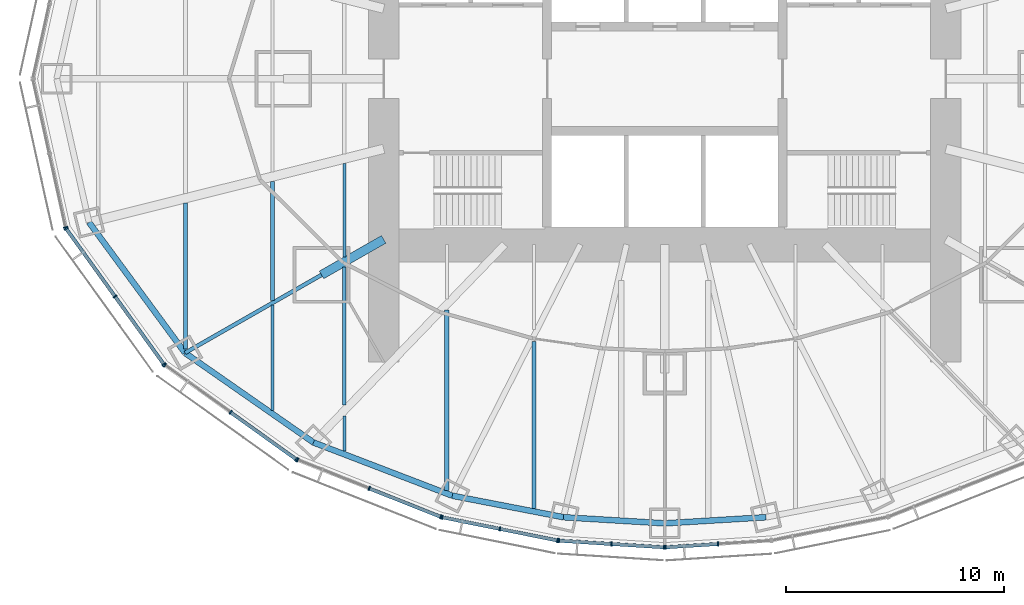
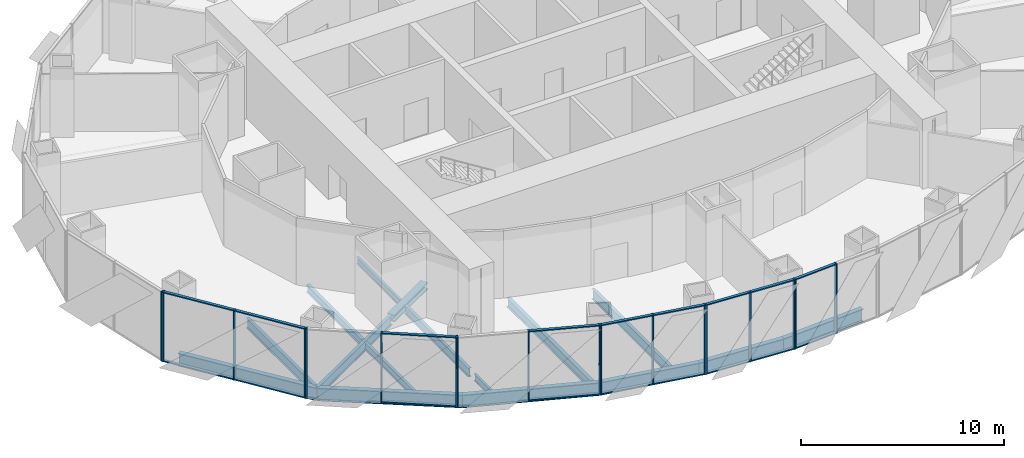
# One storey, part 2 of 18: 36 members, 16 beams, 7 elements without a shape of their own.
"""IFC4 building model written with IfcOpenShell, lengths in metres."""

from ifc_helpers import new_model, si_unit, direction, frame, origin, origin_2d, place, context, subcontext, project, spatial, rectangle, i_section, extrude, material, material_profile, profile_set, type_object, element, aggregate, save


model = new_model("IFC4")

# Units and contexts
model_context = context("Model", 3, precision=1e-05, world=origin(), true_north=direction((0.0, 1.0)))
body_context = subcontext(model_context, "Body", "Model", "MODEL_VIEW")
ifc_project = project(units=[si_unit("LENGTHUNIT", "METRE"), si_unit("AREAUNIT", "SQUARE_METRE"), si_unit("VOLUMEUNIT", "CUBIC_METRE"), si_unit("PLANEANGLEUNIT", "RADIAN"), si_unit("MASSUNIT", "GRAM", prefix="KILO")], contexts=[model_context])

# Site, building, storey
site_placement = place(None, origin())
site = spatial("IfcSite", under=ifc_project, at=site_placement, CompositionType="ELEMENT")
building_placement = place(site_placement, origin())
building = spatial("IfcBuilding", under=site, at=building_placement, Name="Lantaw Convention Tower", CompositionType="ELEMENT")
storey_placement = place(building_placement, frame((0.0, 0.0, 130.0)))
storey = spatial("IfcBuildingStorey", under=building, at=storey_placement, Name="L30", CompositionType="ELEMENT", Elevation=130.0)

# Beams
ifc_material_1 = material(Name="Steel ASTM A992", Category="steel")
ifc_material_profile_1 = material_profile(ifc_material_1, i_section(OverallWidth=0.2666015625, OverallDepth=0.76953125, WebThickness=0.015625, FlangeThickness=0.025390625, FilletRadius=0.0126953125, at=origin_2d()), Name="W30X132")
ifc_profile_set_1 = profile_set([ifc_material_profile_1], Name="Steel ASTM A992")
beam_type_1 = type_object("IfcBeamType", Name="Beam E W30X132", PredefinedType="SPANDREL", material=ifc_profile_set_1)
beam_1_placement = place(storey_placement, frame((-26.419921875, -6.587158203125, -0.534912109375), z_axis=(0.5923891972, -0.805651934176, 0.0), x_axis=(0.805651934176, 0.5923891972, 0.0)))
element("IfcBeam", 1, at=beam_1_placement, inside=storey, type_object=beam_type_1, Name="Edge beam 14", PredefinedType="SPANDREL", context=body_context, shape_type="SweptSolid", body=[
    extrude(i_section(OverallWidth=0.2666015625, OverallDepth=0.76953125, WebThickness=0.015625, FlangeThickness=0.025390625, FilletRadius=0.0126953125, at=origin_2d()), origin(), (0.0, 0.0, 1.0), 7.437744140625),
])
beam_2_placement = place(storey_placement, frame((-22.013916015625, -12.579345703125, -0.534912109375), z_axis=(0.820310765287, -0.57191804339, 0.0), x_axis=(0.57191804339, 0.820310765287, 0.0)))
element("IfcBeam", 2, at=beam_2_placement, inside=storey, type_object=beam_type_1, Name="Edge beam 15", PredefinedType="SPANDREL", context=body_context, shape_type="SweptSolid", body=[
    extrude(i_section(OverallWidth=0.2666015625, OverallDepth=0.76953125, WebThickness=0.015625, FlangeThickness=0.025390625, FilletRadius=0.0126953125, at=origin_2d()), origin(), (0.0, 0.0, 1.0), 7.187744140625),
])
beam_3_placement = place(storey_placement, frame((-16.11767578125, -16.690185546875, -0.534912109375), z_axis=(0.933691081977, -0.358079549033, 0.0), x_axis=(0.358079549033, 0.933691081977, 0.0)))
element("IfcBeam", 3, at=beam_3_placement, inside=storey, type_object=beam_type_1, Name="Edge beam 16", PredefinedType="SPANDREL", context=body_context, shape_type="SweptSolid", body=[
    extrude(i_section(OverallWidth=0.2666015625, OverallDepth=0.76953125, WebThickness=0.015625, FlangeThickness=0.025390625, FilletRadius=0.0126953125, at=origin_2d()), origin(), (0.0, 0.0, 1.0), 6.821533203125),
])
beam_4_placement = place(storey_placement, frame((-9.74853515625, -19.1328125, -0.534912109375), z_axis=(0.981796805654, -0.189934284446, 0.0), x_axis=(0.189934284446, 0.981796805654, 0.0)))
element("IfcBeam", 4, at=beam_4_placement, inside=storey, type_object=beam_type_1, Name="Edge beam 17", PredefinedType="SPANDREL", context=body_context, shape_type="SweptSolid", body=[
    extrude(i_section(OverallWidth=0.2666015625, OverallDepth=0.76953125, WebThickness=0.015625, FlangeThickness=0.025390625, FilletRadius=0.0126953125, at=origin_2d()), origin(), (0.0, 0.0, 1.0), 5.1982421875),
])
for number, where, z_axis, x_axis, name in (
    (5, (-4.64501953125, -20.1201171875, -0.534912109375), (0.998190892054, -0.06012439621, 0.0), (0.06012439621, 0.998190892054, 0.0), "Edge beam 18"),
    (6, (0.0, -20.39990234375, -0.534912109375), (0.998190892054, 0.06012439621, 0.0), (-0.06012439621, 0.998190892054, 0.0), "Edge beam 19"),
):
    element("IfcBeam", number, at=place(storey_placement, frame(where, z_axis=z_axis, x_axis=x_axis)), inside=storey, type_object=beam_type_1, Name=name, PredefinedType="SPANDREL", context=body_context, shape_type="SweptSolid", body=[
        extrude(i_section(OverallWidth=0.2666015625, OverallDepth=0.76953125, WebThickness=0.015625, FlangeThickness=0.025390625, FilletRadius=0.0126953125, at=origin_2d()), origin(), (0.0, 0.0, 1.0), 4.6533203125),
    ])
ifc_material_profile_2 = material_profile(ifc_material_1, i_section(OverallWidth=0.177978515625, OverallDepth=0.599365234375, WebThickness=0.010009765625, FlangeThickness=0.012939453125, FilletRadius=0.012939453125, at=origin_2d()), Name="W24X55")
ifc_profile_set_2 = profile_set([ifc_material_profile_2], Name="Steel ASTM A992")
beam_type_2 = type_object("IfcBeamType", Name="Beam G W24X55", PredefinedType="BEAM", material=ifc_profile_set_2)
beam_5_placement = place(storey_placement, frame((-15.75, -9.0, -0.44970703125), z_axis=(-0.868245224608, -0.496135293993, 0.0), x_axis=(0.496135293993, -0.868245224608, 0.0)))
element("IfcBeam", 7, at=beam_5_placement, inside=storey, type_object=beam_type_2, Name="Floor girder on ray 15", PredefinedType="BEAM", context=body_context, shape_type="SweptSolid", body=[
    extrude(i_section(OverallWidth=0.177978515625, OverallDepth=0.599365234375, WebThickness=0.010009765625, FlangeThickness=0.012939453125, FilletRadius=0.012939453125, at=origin_2d()), origin(), (0.0, 0.0, 1.0), 7.21435546875),
])
ifc_material_profile_3 = material_profile(ifc_material_1, i_section(OverallWidth=0.40380859375, OverallDepth=0.406494140625, WebThickness=0.027099609375, FlangeThickness=0.043701171875, FilletRadius=0.01513671875, at=origin_2d()), Name="W14X233")
ifc_profile_set_3 = profile_set([ifc_material_profile_3], Name="Steel ASTM A992")
beam_type_3 = type_object("IfcBeamType", Name="Beam GM W14X233", PredefinedType="BEAM", material=ifc_profile_set_3)
beam_6_placement = place(storey_placement, frame((-12.89990234375, -7.371337890625, -0.353271484375), z_axis=(-0.868238565244, -0.496146947811, 0.0), x_axis=(0.496146947811, -0.868238565244, 0.0)))
element("IfcBeam", 8, at=beam_6_placement, inside=storey, type_object=beam_type_3, Name="Core link beam on ray 15", PredefinedType="BEAM", context=body_context, shape_type="SweptSolid", body=[
    extrude(i_section(OverallWidth=0.40380859375, OverallDepth=0.406494140625, WebThickness=0.027099609375, FlangeThickness=0.043701171875, FilletRadius=0.01513671875, at=origin_2d()), origin(), (0.0, 0.0, 1.0), 3.28271484375),
])
ifc_material_profile_4 = material_profile(ifc_material_1, i_section(OverallWidth=0.140380859375, OverallDepth=0.40380859375, WebThickness=0.007080078125, FlangeThickness=0.01123046875, FilletRadius=0.01025390625, at=origin_2d()), Name="W16X31")
ifc_profile_set_4 = profile_set([ifc_material_profile_4], Name="Steel ASTM A992")
beam_type_4 = type_object("IfcBeamType", Name="Beam J W16X31", PredefinedType="JOIST", material=ifc_profile_set_4)
beam_7_placement = place(storey_placement, frame((-14.699951171875, -17.091064453125, -0.35205078125), z_axis=(0.0, 1.0, 0.0), x_axis=(-1.0, 0.0, 0.0)))
element("IfcBeam", 9, at=beam_7_placement, inside=storey, type_object=beam_type_4, Name="Floor joist", PredefinedType="JOIST", context=body_context, shape_type="SweptSolid", body=[
    extrude(i_section(OverallWidth=0.140380859375, OverallDepth=0.40380859375, WebThickness=0.007080078125, FlangeThickness=0.01123046875, FilletRadius=0.01025390625, at=origin_2d()), origin(), (0.0, 0.0, 1.0), 1.609130859375),
])
beam_8_placement = place(storey_placement, frame((-14.699951171875, -8.16748046875, -0.35205078125), z_axis=(0.0, 1.0, 0.0), x_axis=(-1.0, 0.0, 0.0)))
element("IfcBeam", 10, at=beam_8_placement, inside=storey, type_object=beam_type_4, Name="Floor joist", PredefinedType="JOIST", context=body_context, shape_type="SweptSolid", body=[
    extrude(i_section(OverallWidth=0.140380859375, OverallDepth=0.40380859375, WebThickness=0.007080078125, FlangeThickness=0.01123046875, FilletRadius=0.01025390625, at=origin_2d()), origin(), (0.0, 0.0, 1.0), 4.28515625),
])
ifc_material_profile_5 = material_profile(ifc_material_1, i_section(OverallWidth=0.15234375, OverallDepth=0.449462890625, WebThickness=0.007568359375, FlangeThickness=0.0107421875, FilletRadius=0.01025390625, at=origin_2d()), Name="W18X35")
ifc_profile_set_5 = profile_set([ifc_material_profile_5], Name="Steel ASTM A992")
beam_type_5 = type_object("IfcBeamType", Name="Beam J W18X35", PredefinedType="JOIST", material=ifc_profile_set_5)
beam_9_placement = place(storey_placement, frame((-18.0, -15.21533203125, -0.374755859375), z_axis=(0.0, 1.0, 0.0), x_axis=(-1.0, 0.0, 0.0)))
element("IfcBeam", 11, at=beam_9_placement, inside=storey, type_object=beam_type_5, Name="Floor joist", PredefinedType="JOIST", context=body_context, shape_type="SweptSolid", body=[
    extrude(i_section(OverallWidth=0.15234375, OverallDepth=0.449462890625, WebThickness=0.007568359375, FlangeThickness=0.0107421875, FilletRadius=0.01025390625, at=origin_2d()), origin(), (0.0, 0.0, 1.0), 4.8271484375),
])
ifc_material_profile_6 = material_profile(ifc_material_1, i_section(OverallWidth=0.1904296875, OverallDepth=0.457275390625, WebThickness=0.009033203125, FlangeThickness=0.014404296875, FilletRadius=0.01025390625, at=origin_2d()), Name="W18X50")
ifc_profile_set_6 = profile_set([ifc_material_profile_6], Name="Steel ASTM A992")
beam_type_6 = type_object("IfcBeamType", Name="Beam J W18X50", PredefinedType="JOIST", material=ifc_profile_set_6)
beam_10_placement = place(storey_placement, frame((-18.0, -10.18310546875, -0.378662109375), z_axis=(0.0, 1.0, 0.0), x_axis=(-1.0, 0.0, 0.0)))
element("IfcBeam", 12, at=beam_10_placement, inside=storey, type_object=beam_type_6, Name="Floor joist", PredefinedType="JOIST", context=body_context, shape_type="SweptSolid", body=[
    extrude(i_section(OverallWidth=0.1904296875, OverallDepth=0.457275390625, WebThickness=0.009033203125, FlangeThickness=0.014404296875, FilletRadius=0.01025390625, at=origin_2d()), origin(), (0.0, 0.0, 1.0), 5.47802734375),
])
ifc_material_profile_7 = material_profile(ifc_material_1, i_section(OverallWidth=0.1650390625, OverallDepth=0.52587890625, WebThickness=0.0087890625, FlangeThickness=0.011474609375, FilletRadius=0.0126953125, at=origin_2d()), Name="W21X44")
ifc_profile_set_7 = profile_set([ifc_material_profile_7], Name="Steel ASTM A992")
beam_type_7 = type_object("IfcBeamType", Name="Beam J W21X44", PredefinedType="JOIST", material=ifc_profile_set_7)
beam_11_placement = place(storey_placement, frame((-14.699951171875, -14.962646484375, -0.412841796875), z_axis=(0.0, 1.0, 0.0), x_axis=(-1.0, 0.0, 0.0)))
element("IfcBeam", 13, at=beam_11_placement, inside=storey, type_object=beam_type_7, Name="Floor joist", PredefinedType="JOIST", context=body_context, shape_type="SweptSolid", body=[
    extrude(i_section(OverallWidth=0.1650390625, OverallDepth=0.52587890625, WebThickness=0.0087890625, FlangeThickness=0.011474609375, FilletRadius=0.0126953125, at=origin_2d()), origin(), (0.0, 0.0, 1.0), 6.330078125),
])
ifc_material_profile_8 = material_profile(ifc_material_1, i_section(OverallWidth=0.2099609375, OverallDepth=0.535888671875, WebThickness=0.010986328125, FlangeThickness=0.017333984375, FilletRadius=0.012939453125, at=origin_2d()), Name="W21X68")
ifc_profile_set_8 = profile_set([ifc_material_profile_8], Name="Steel ASTM A992")
beam_type_8 = type_object("IfcBeamType", Name="Beam J W21X68", PredefinedType="JOIST", material=ifc_profile_set_8)
beam_12_placement = place(storey_placement, frame((-10.0, -18.8935546875, -0.41796875), z_axis=(0.0, 1.0, 0.0), x_axis=(-1.0, 0.0, 0.0)))
element("IfcBeam", 14, at=beam_12_placement, inside=storey, type_object=beam_type_8, Name="Floor joist", PredefinedType="JOIST", context=body_context, shape_type="SweptSolid", body=[
    extrude(i_section(OverallWidth=0.2099609375, OverallDepth=0.535888671875, WebThickness=0.010986328125, FlangeThickness=0.017333984375, FilletRadius=0.012939453125, at=origin_2d()), origin(), (0.0, 0.0, 1.0), 8.278564453125),
])
ifc_material_profile_9 = material_profile(ifc_material_1, i_section(OverallWidth=0.177978515625, OverallDepth=0.599365234375, WebThickness=0.010009765625, FlangeThickness=0.012939453125, FilletRadius=0.012939453125, at=origin_2d()), Name="W24X55")
ifc_profile_set_9 = profile_set([ifc_material_profile_9], Name="Steel ASTM A992")
beam_type_9 = type_object("IfcBeamType", Name="Beam J W24X55", PredefinedType="JOIST", material=ifc_profile_set_9)
beam_13_placement = place(storey_placement, frame((-22.0, -12.408935546875, -0.44970703125), z_axis=(0.0, 1.0, 0.0), x_axis=(-1.0, 0.0, 0.0)))
element("IfcBeam", 15, at=beam_13_placement, inside=storey, type_object=beam_type_9, Name="Floor joist", PredefinedType="JOIST", context=body_context, shape_type="SweptSolid", body=[
    extrude(i_section(OverallWidth=0.177978515625, OverallDepth=0.599365234375, WebThickness=0.010009765625, FlangeThickness=0.012939453125, FilletRadius=0.012939453125, at=origin_2d()), origin(), (0.0, 0.0, 1.0), 6.70654296875),
])
beam_14_placement = place(storey_placement, frame((-6.0, -19.72216796875, -0.44970703125), z_axis=(0.0, 1.0, 0.0), x_axis=(-1.0, 0.0, 0.0)))
element("IfcBeam", 16, at=beam_14_placement, inside=storey, type_object=beam_type_9, Name="Floor joist", PredefinedType="JOIST", context=body_context, shape_type="SweptSolid", body=[
    extrude(i_section(OverallWidth=0.177978515625, OverallDepth=0.599365234375, WebThickness=0.010009765625, FlangeThickness=0.012939453125, FilletRadius=0.012939453125, at=origin_2d()), origin(), (0.0, 0.0, 1.0), 7.666748046875),
])

# Curtain wall, member
ifc_material_2 = material(Name="Aluminium framed curtain wall", Category="aluminium")
curtain_wall_type = type_object("IfcCurtainWallType", Name="Office curtain wall low rise, pale aluminium", PredefinedType="USERDEFINED", material=ifc_material_2)
curtain_wall_1_placement = place(storey_placement, origin())
curtain_wall_1 = element("IfcCurtainWall", 17, at=curtain_wall_1_placement, inside=storey, type_object=curtain_wall_type, Name="Office curtain wall low rise, pale aluminium L30", ObjectType="UNITISED CURTAIN WALL", PredefinedType="USERDEFINED")
ifc_material_3 = material(Name="Aluminium 6063-T6", Category="aluminium")
ifc_material_profile_10 = material_profile(ifc_material_3, rectangle(XDim=0.199951171875, YDim=0.06494140625, at=origin_2d()), Name="CW-O1 mullion 65x200")
ifc_profile_set_10 = profile_set([ifc_material_profile_10], Name="Aluminium 6063-T6")
member_type_1 = type_object("IfcMemberType", Name="CW-O1 mullion 65x200", PredefinedType="MULLION", material=ifc_profile_set_10)
member_1_placement = place(storey_placement, frame((-27.494140625, -6.821533203125, -0.14990234375), z_axis=(0.0, 0.0, 1.0), x_axis=(0.9764936509, 0.215546166174, 0.0)))
member_1 = element("IfcMember", 18, at=member_1_placement, type_object=member_type_1, Name="CW-O1 mullion 3", PredefinedType="MULLION", context=body_context, shape_type="SweptSolid", body=[
    extrude(rectangle(XDim=0.199951171875, YDim=0.06494140625, at=origin_2d()), origin(), (0.0, 0.0, 1.0), 4.199951171875),
])
aggregate(curtain_wall_1, [member_1])

# Curtain wall, members
curtain_wall_2_placement = place(storey_placement, origin())
curtain_wall_2 = element("IfcCurtainWall", 19, at=curtain_wall_2_placement, inside=storey, type_object=curtain_wall_type, Name="Office curtain wall low rise, pale aluminium L30", ObjectType="UNITISED CURTAIN WALL", PredefinedType="USERDEFINED")
member_2_placement = place(storey_placement, frame((-27.46826171875, -6.879638671875, -0.14990234375), z_axis=(0.0, 0.0, 1.0), x_axis=(0.811384633629, 0.584512597221, 0.0)))
member_2 = element("IfcMember", 20, at=member_2_placement, type_object=member_type_1, Name="CW-O1 mullion 1", PredefinedType="MULLION", context=body_context, shape_type="SweptSolid", body=[
    extrude(rectangle(XDim=0.199951171875, YDim=0.06494140625, at=origin_2d()), origin(), (0.0, 0.0, 1.0), 4.199951171875),
])
member_3_placement = place(storey_placement, frame((-25.22802734375, -9.9892578125, -0.14990234375), z_axis=(0.0, 0.0, 1.0), x_axis=(0.811384633629, 0.584512597221, 0.0)))
member_3 = element("IfcMember", 21, at=member_3_placement, type_object=member_type_1, Name="CW-O1 mullion 2", PredefinedType="MULLION", context=body_context, shape_type="SweptSolid", body=[
    extrude(rectangle(XDim=0.199951171875, YDim=0.06494140625, at=origin_2d()), origin(), (0.0, 0.0, 1.0), 4.199951171875),
])
member_4_placement = place(storey_placement, frame((-22.988037109375, -13.098876953125, -0.14990234375), z_axis=(0.0, 0.0, 1.0), x_axis=(0.811384633629, 0.584512597221, 0.0)))
member_4 = element("IfcMember", 22, at=member_4_placement, type_object=member_type_1, Name="CW-O1 mullion 3", PredefinedType="MULLION", context=body_context, shape_type="SweptSolid", body=[
    extrude(rectangle(XDim=0.199951171875, YDim=0.06494140625, at=origin_2d()), origin(), (0.0, 0.0, 1.0), 4.199951171875),
])

curtain_wall_3_placement = place(storey_placement, origin())
curtain_wall_3 = element("IfcCurtainWall", 23, at=curtain_wall_3_placement, inside=storey, type_object=curtain_wall_type, Name="Office curtain wall low rise, pale aluminium L30", ObjectType="UNITISED CURTAIN WALL", PredefinedType="USERDEFINED")
member_5_placement = place(storey_placement, frame((-22.942626953125, -13.14404296875, -0.14990234375), z_axis=(0.0, 0.0, 1.0), x_axis=(0.581972695693, 0.813208325995, 0.0)))
member_5 = element("IfcMember", 24, at=member_5_placement, type_object=member_type_1, Name="CW-O1 mullion 1", PredefinedType="MULLION", context=body_context, shape_type="SweptSolid", body=[
    extrude(rectangle(XDim=0.199951171875, YDim=0.06494140625, at=origin_2d()), origin(), (0.0, 0.0, 1.0), 4.199951171875),
])
member_6_placement = place(storey_placement, frame((-19.92529296875, -15.303466796875, -0.14990234375), z_axis=(0.0, 0.0, 1.0), x_axis=(0.581972695693, 0.813208325995, 0.0)))
member_6 = element("IfcMember", 25, at=member_6_placement, type_object=member_type_1, Name="CW-O1 mullion 2", PredefinedType="MULLION", context=body_context, shape_type="SweptSolid", body=[
    extrude(rectangle(XDim=0.199951171875, YDim=0.06494140625, at=origin_2d()), origin(), (0.0, 0.0, 1.0), 4.199951171875),
])
member_7_placement = place(storey_placement, frame((-16.908203125, -17.462646484375, -0.14990234375), z_axis=(0.0, 0.0, 1.0), x_axis=(0.581972695693, 0.813208325995, 0.0)))
member_7 = element("IfcMember", 26, at=member_7_placement, type_object=member_type_1, Name="CW-O1 mullion 3", PredefinedType="MULLION", context=body_context, shape_type="SweptSolid", body=[
    extrude(rectangle(XDim=0.199951171875, YDim=0.06494140625, at=origin_2d()), origin(), (0.0, 0.0, 1.0), 4.199951171875),
])

curtain_wall_4_placement = place(storey_placement, origin())
curtain_wall_4 = element("IfcCurtainWall", 27, at=curtain_wall_4_placement, inside=storey, type_object=curtain_wall_type, Name="Office curtain wall low rise, pale aluminium L30", ObjectType="UNITISED CURTAIN WALL", PredefinedType="USERDEFINED")
member_8_placement = place(storey_placement, frame((-16.8515625, -17.49365234375, -0.14990234375), z_axis=(0.0, 0.0, 1.0), x_axis=(0.368701907483, 0.929547687544, 0.0)))
member_8 = element("IfcMember", 28, at=member_8_placement, type_object=member_type_1, Name="CW-O1 mullion 1", PredefinedType="MULLION", context=body_context, shape_type="SweptSolid", body=[
    extrude(rectangle(XDim=0.199951171875, YDim=0.06494140625, at=origin_2d()), origin(), (0.0, 0.0, 1.0), 4.199951171875),
])
member_9_placement = place(storey_placement, frame((-13.56494140625, -18.797119140625, -0.14990234375), z_axis=(0.0, 0.0, 1.0), x_axis=(0.368701907483, 0.929547687544, 0.0)))
member_9 = element("IfcMember", 29, at=member_9_placement, type_object=member_type_1, Name="CW-O1 mullion 2", PredefinedType="MULLION", context=body_context, shape_type="SweptSolid", body=[
    extrude(rectangle(XDim=0.199951171875, YDim=0.06494140625, at=origin_2d()), origin(), (0.0, 0.0, 1.0), 4.199951171875),
])
member_10_placement = place(storey_placement, frame((-10.2783203125, -20.100830078125, -0.14990234375), z_axis=(0.0, 0.0, 1.0), x_axis=(0.368701907483, 0.929547687544, 0.0)))
member_10 = element("IfcMember", 30, at=member_10_placement, type_object=member_type_1, Name="CW-O1 mullion 3", PredefinedType="MULLION", context=body_context, shape_type="SweptSolid", body=[
    extrude(rectangle(XDim=0.199951171875, YDim=0.06494140625, at=origin_2d()), origin(), (0.0, 0.0, 1.0), 4.199951171875),
])

curtain_wall_5_placement = place(storey_placement, origin())
curtain_wall_5 = element("IfcCurtainWall", 31, at=curtain_wall_5_placement, inside=storey, type_object=curtain_wall_type, Name="Office curtain wall low rise, pale aluminium L30", ObjectType="UNITISED CURTAIN WALL", PredefinedType="USERDEFINED")
member_11_placement = place(storey_placement, frame((-10.216064453125, -20.119140625, -0.14990234375), z_axis=(0.0, 0.0, 1.0), x_axis=(0.197506809659, 0.980301514912, 0.0)))
member_11 = element("IfcMember", 32, at=member_11_placement, type_object=member_type_1, Name="CW-O1 mullion 1", PredefinedType="MULLION", context=body_context, shape_type="SweptSolid", body=[
    extrude(rectangle(XDim=0.199951171875, YDim=0.06494140625, at=origin_2d()), origin(), (0.0, 0.0, 1.0), 4.199951171875),
])
member_12_placement = place(storey_placement, frame((-7.5703125, -20.65234375, -0.14990234375), z_axis=(0.0, 0.0, 1.0), x_axis=(0.197506809659, 0.980301514912, 0.0)))
member_12 = element("IfcMember", 33, at=member_12_placement, type_object=member_type_1, Name="CW-O1 mullion 2", PredefinedType="MULLION", context=body_context, shape_type="SweptSolid", body=[
    extrude(rectangle(XDim=0.199951171875, YDim=0.06494140625, at=origin_2d()), origin(), (0.0, 0.0, 1.0), 4.199951171875),
])
member_13_placement = place(storey_placement, frame((-4.92431640625, -21.185302734375, -0.14990234375), z_axis=(0.0, 0.0, 1.0), x_axis=(0.197506809659, 0.980301514912, 0.0)))
member_13 = element("IfcMember", 34, at=member_13_placement, type_object=member_type_1, Name="CW-O1 mullion 3", PredefinedType="MULLION", context=body_context, shape_type="SweptSolid", body=[
    extrude(rectangle(XDim=0.199951171875, YDim=0.06494140625, at=origin_2d()), origin(), (0.0, 0.0, 1.0), 4.199951171875),
])

curtain_wall_6_placement = place(storey_placement, origin())
curtain_wall_6 = element("IfcCurtainWall", 35, at=curtain_wall_6_placement, inside=storey, type_object=curtain_wall_type, Name="Office curtain wall low rise, pale aluminium L30", ObjectType="UNITISED CURTAIN WALL", PredefinedType="USERDEFINED")
member_14_placement = place(storey_placement, frame((-4.860107421875, -21.19384765625, -0.14990234375), z_axis=(0.0, 0.0, 1.0), x_axis=(0.062865059466, 0.998022035978, 0.0)))
member_14 = element("IfcMember", 36, at=member_14_placement, type_object=member_type_1, Name="CW-O1 mullion 1", PredefinedType="MULLION", context=body_context, shape_type="SweptSolid", body=[
    extrude(rectangle(XDim=0.199951171875, YDim=0.06494140625, at=origin_2d()), origin(), (0.0, 0.0, 1.0), 4.199951171875),
])
member_15_placement = place(storey_placement, frame((-2.4462890625, -21.345947265625, -0.14990234375), z_axis=(0.0, 0.0, 1.0), x_axis=(0.062865059466, 0.998022035978, 0.0)))
member_15 = element("IfcMember", 37, at=member_15_placement, type_object=member_type_1, Name="CW-O1 mullion 2", PredefinedType="MULLION", context=body_context, shape_type="SweptSolid", body=[
    extrude(rectangle(XDim=0.199951171875, YDim=0.06494140625, at=origin_2d()), origin(), (0.0, 0.0, 1.0), 4.199951171875),
])
member_16_placement = place(storey_placement, frame((-0.032470703125, -21.498046875, -0.14990234375), z_axis=(0.0, 0.0, 1.0), x_axis=(0.062865059466, 0.998022035978, 0.0)))
member_16 = element("IfcMember", 38, at=member_16_placement, type_object=member_type_1, Name="CW-O1 mullion 3", PredefinedType="MULLION", context=body_context, shape_type="SweptSolid", body=[
    extrude(rectangle(XDim=0.199951171875, YDim=0.06494140625, at=origin_2d()), origin(), (0.0, 0.0, 1.0), 4.199951171875),
])

curtain_wall_7_placement = place(storey_placement, origin())
curtain_wall_7 = element("IfcCurtainWall", 39, at=curtain_wall_7_placement, inside=storey, type_object=curtain_wall_type, Name="Office curtain wall low rise, pale aluminium L30", ObjectType="UNITISED CURTAIN WALL", PredefinedType="USERDEFINED")
member_17_placement = place(storey_placement, frame((0.032470703125, -21.498046875, -0.14990234375), z_axis=(0.0, 0.0, 1.0), x_axis=(-0.062865059466, 0.998022035978, 0.0)))
member_17 = element("IfcMember", 40, at=member_17_placement, type_object=member_type_1, Name="CW-O1 mullion 1", PredefinedType="MULLION", context=body_context, shape_type="SweptSolid", body=[
    extrude(rectangle(XDim=0.199951171875, YDim=0.06494140625, at=origin_2d()), origin(), (0.0, 0.0, 1.0), 4.199951171875),
])
member_18_placement = place(storey_placement, frame((2.4462890625, -21.345947265625, -0.14990234375), z_axis=(0.0, 0.0, 1.0), x_axis=(-0.062865059466, 0.998022035978, 0.0)))
member_18 = element("IfcMember", 41, at=member_18_placement, type_object=member_type_1, Name="CW-O1 mullion 2", PredefinedType="MULLION", context=body_context, shape_type="SweptSolid", body=[
    extrude(rectangle(XDim=0.199951171875, YDim=0.06494140625, at=origin_2d()), origin(), (0.0, 0.0, 1.0), 4.199951171875),
])

# Member
ifc_material_profile_11 = material_profile(ifc_material_3, rectangle(XDim=0.159912109375, YDim=0.06494140625, at=origin_2d()), Name="CW-O1 transom 65x160")
ifc_profile_set_11 = profile_set([ifc_material_profile_11], Name="Aluminium 6063-T6")
member_type_2 = type_object("IfcMemberType", Name="CW-O1 transom 65x160", PredefinedType="USERDEFINED", material=ifc_profile_set_11)
member_19_placement = place(storey_placement, frame((-27.44921875, -6.906005859375, -0.117431640625), z_axis=(0.584512973979, -0.811384362217, 0.0), x_axis=(0.811384362217, 0.584512973979, 0.0)))
member_19 = element("IfcMember", 42, at=member_19_placement, type_object=member_type_2, Name="CW-O1 transom 1.1", ObjectType="TRANSOM", PredefinedType="USERDEFINED", context=body_context, shape_type="SweptSolid", body=[
    extrude(rectangle(XDim=0.159912109375, YDim=0.06494140625, at=origin_2d()), origin(), (0.0, 0.0, 1.0), 3.767578125),
])

member_20_placement = place(storey_placement, frame((-27.44921875, -6.906005859375, 4.017578125), z_axis=(0.584512973979, -0.811384362217, 0.0), x_axis=(0.811384362217, 0.584512973979, 0.0)))
member_20 = element("IfcMember", 43, at=member_20_placement, type_object=member_type_2, Name="CW-O1 transom 1.2", ObjectType="TRANSOM", PredefinedType="USERDEFINED", context=body_context, shape_type="SweptSolid", body=[
    extrude(rectangle(XDim=0.159912109375, YDim=0.06494140625, at=origin_2d()), origin(), (0.0, 0.0, 1.0), 3.767578125),
])

member_21_placement = place(storey_placement, frame((-25.209228515625, -10.015625, -0.117431640625), z_axis=(0.584512973979, -0.811384362217, 0.0), x_axis=(0.811384362217, 0.584512973979, 0.0)))
member_21 = element("IfcMember", 44, at=member_21_placement, type_object=member_type_2, Name="CW-O1 transom 2.1", ObjectType="TRANSOM", PredefinedType="USERDEFINED", context=body_context, shape_type="SweptSolid", body=[
    extrude(rectangle(XDim=0.159912109375, YDim=0.06494140625, at=origin_2d()), origin(), (0.0, 0.0, 1.0), 3.767578125),
])

member_22_placement = place(storey_placement, frame((-25.209228515625, -10.015625, 4.017578125), z_axis=(0.584512973979, -0.811384362217, 0.0), x_axis=(0.811384362217, 0.584512973979, 0.0)))
member_22 = element("IfcMember", 45, at=member_22_placement, type_object=member_type_2, Name="CW-O1 transom 2.2", ObjectType="TRANSOM", PredefinedType="USERDEFINED", context=body_context, shape_type="SweptSolid", body=[
    extrude(rectangle(XDim=0.159912109375, YDim=0.06494140625, at=origin_2d()), origin(), (0.0, 0.0, 1.0), 3.767578125),
])

aggregate(curtain_wall_2, [member_2, member_3, member_4, member_19, member_20, member_21, member_22])

member_23_placement = place(storey_placement, frame((-19.89892578125, -15.322265625, -0.117431640625), z_axis=(0.813190089133, -0.581998177777, 0.0), x_axis=(0.581998177777, 0.813190089133, 0.0)))
member_23 = element("IfcMember", 46, at=member_23_placement, type_object=member_type_2, Name="CW-O1 transom 2.1", ObjectType="TRANSOM", PredefinedType="USERDEFINED", context=body_context, shape_type="SweptSolid", body=[
    extrude(rectangle(XDim=0.159912109375, YDim=0.06494140625, at=origin_2d()), origin(), (0.0, 0.0, 1.0), 3.645263671875),
])

member_24_placement = place(storey_placement, frame((-19.89892578125, -15.322265625, 4.017578125), z_axis=(0.813190089133, -0.581998177777, 0.0), x_axis=(0.581998177777, 0.813190089133, 0.0)))
member_24 = element("IfcMember", 47, at=member_24_placement, type_object=member_type_2, Name="CW-O1 transom 2.2", ObjectType="TRANSOM", PredefinedType="USERDEFINED", context=body_context, shape_type="SweptSolid", body=[
    extrude(rectangle(XDim=0.159912109375, YDim=0.06494140625, at=origin_2d()), origin(), (0.0, 0.0, 1.0), 3.645263671875),
])

aggregate(curtain_wall_3, [member_5, member_6, member_7, member_23, member_24])

member_25_placement = place(storey_placement, frame((-13.53466796875, -18.80908203125, -0.117431640625), z_axis=(0.929540081544, -0.368721082668, 0.0), x_axis=(0.368721082668, 0.929540081544, 0.0)))
member_25 = element("IfcMember", 48, at=member_25_placement, type_object=member_type_2, Name="CW-O1 transom 2.1", ObjectType="TRANSOM", PredefinedType="USERDEFINED", context=body_context, shape_type="SweptSolid", body=[
    extrude(rectangle(XDim=0.159912109375, YDim=0.06494140625, at=origin_2d()), origin(), (0.0, 0.0, 1.0), 3.470947265625),
])

member_26_placement = place(storey_placement, frame((-13.53466796875, -18.80908203125, 4.017578125), z_axis=(0.929540081544, -0.368721082668, 0.0), x_axis=(0.368721082668, 0.929540081544, 0.0)))
member_26 = element("IfcMember", 49, at=member_26_placement, type_object=member_type_2, Name="CW-O1 transom 2.2", ObjectType="TRANSOM", PredefinedType="USERDEFINED", context=body_context, shape_type="SweptSolid", body=[
    extrude(rectangle(XDim=0.159912109375, YDim=0.06494140625, at=origin_2d()), origin(), (0.0, 0.0, 1.0), 3.470947265625),
])

aggregate(curtain_wall_4, [member_8, member_9, member_10, member_25, member_26])

member_27_placement = place(storey_placement, frame((-10.184326171875, -20.125732421875, -0.117431640625), z_axis=(0.980301643003, -0.197506173891, 0.0), x_axis=(0.197506173891, 0.980301643003, 0.0)))
member_27 = element("IfcMember", 50, at=member_27_placement, type_object=member_type_2, Name="CW-O1 transom 1.1", ObjectType="TRANSOM", PredefinedType="USERDEFINED", context=body_context, shape_type="SweptSolid", body=[
    extrude(rectangle(XDim=0.159912109375, YDim=0.06494140625, at=origin_2d()), origin(), (0.0, 0.0, 1.0), 2.63427734375),
])

member_28_placement = place(storey_placement, frame((-10.184326171875, -20.125732421875, 4.017578125), z_axis=(0.980301643003, -0.197506173891, 0.0), x_axis=(0.197506173891, 0.980301643003, 0.0)))
member_28 = element("IfcMember", 51, at=member_28_placement, type_object=member_type_2, Name="CW-O1 transom 1.2", ObjectType="TRANSOM", PredefinedType="USERDEFINED", context=body_context, shape_type="SweptSolid", body=[
    extrude(rectangle(XDim=0.159912109375, YDim=0.06494140625, at=origin_2d()), origin(), (0.0, 0.0, 1.0), 2.63427734375),
])

member_29_placement = place(storey_placement, frame((-7.538330078125, -20.65869140625, -0.117431640625), z_axis=(0.980298027092, -0.197524120247, 0.0), x_axis=(0.197524120247, 0.980298027092, 0.0)))
member_29 = element("IfcMember", 52, at=member_29_placement, type_object=member_type_2, Name="CW-O1 transom 2.1", ObjectType="TRANSOM", PredefinedType="USERDEFINED", context=body_context, shape_type="SweptSolid", body=[
    extrude(rectangle(XDim=0.159912109375, YDim=0.06494140625, at=origin_2d()), origin(), (0.0, 0.0, 1.0), 2.634033203125),
])

member_30_placement = place(storey_placement, frame((-7.538330078125, -20.65869140625, 4.017578125), z_axis=(0.980298027092, -0.197524120247, 0.0), x_axis=(0.197524120247, 0.980298027092, 0.0)))
member_30 = element("IfcMember", 53, at=member_30_placement, type_object=member_type_2, Name="CW-O1 transom 2.2", ObjectType="TRANSOM", PredefinedType="USERDEFINED", context=body_context, shape_type="SweptSolid", body=[
    extrude(rectangle(XDim=0.159912109375, YDim=0.06494140625, at=origin_2d()), origin(), (0.0, 0.0, 1.0), 2.634033203125),
])

aggregate(curtain_wall_5, [member_11, member_12, member_13, member_27, member_28, member_29, member_30])

member_31_placement = place(storey_placement, frame((-4.82763671875, -21.19580078125, -0.117431640625), z_axis=(0.998022188463, -0.062862638625, 0.0), x_axis=(0.062862638625, 0.998022188463, 0.0)))
member_31 = element("IfcMember", 54, at=member_31_placement, type_object=member_type_2, Name="CW-O1 transom 1.1", ObjectType="TRANSOM", PredefinedType="USERDEFINED", context=body_context, shape_type="SweptSolid", body=[
    extrude(rectangle(XDim=0.159912109375, YDim=0.06494140625, at=origin_2d()), origin(), (0.0, 0.0, 1.0), 2.353515625),
])

member_32_placement = place(storey_placement, frame((-4.82763671875, -21.19580078125, 4.017578125), z_axis=(0.998022188463, -0.062862638625, 0.0), x_axis=(0.062862638625, 0.998022188463, 0.0)))
member_32 = element("IfcMember", 55, at=member_32_placement, type_object=member_type_2, Name="CW-O1 transom 1.2", ObjectType="TRANSOM", PredefinedType="USERDEFINED", context=body_context, shape_type="SweptSolid", body=[
    extrude(rectangle(XDim=0.159912109375, YDim=0.06494140625, at=origin_2d()), origin(), (0.0, 0.0, 1.0), 2.353515625),
])

member_33_placement = place(storey_placement, frame((-2.413818359375, -21.347900390625, -0.117431640625), z_axis=(0.998022188463, -0.062862638625, 0.0), x_axis=(0.062862638625, 0.998022188463, 0.0)))
member_33 = element("IfcMember", 56, at=member_33_placement, type_object=member_type_2, Name="CW-O1 transom 2.1", ObjectType="TRANSOM", PredefinedType="USERDEFINED", context=body_context, shape_type="SweptSolid", body=[
    extrude(rectangle(XDim=0.159912109375, YDim=0.06494140625, at=origin_2d()), origin(), (0.0, 0.0, 1.0), 2.353515625),
])

member_34_placement = place(storey_placement, frame((-2.413818359375, -21.347900390625, 4.017578125), z_axis=(0.998022188463, -0.062862638625, 0.0), x_axis=(0.062862638625, 0.998022188463, 0.0)))
member_34 = element("IfcMember", 57, at=member_34_placement, type_object=member_type_2, Name="CW-O1 transom 2.2", ObjectType="TRANSOM", PredefinedType="USERDEFINED", context=body_context, shape_type="SweptSolid", body=[
    extrude(rectangle(XDim=0.159912109375, YDim=0.06494140625, at=origin_2d()), origin(), (0.0, 0.0, 1.0), 2.353515625),
])

aggregate(curtain_wall_6, [member_14, member_15, member_16, member_31, member_32, member_33, member_34])

member_35_placement = place(storey_placement, frame((0.06494140625, -21.495849609375, -0.117431640625), z_axis=(0.998022188463, 0.062862638625, 0.0), x_axis=(-0.062862638625, 0.998022188463, 0.0)))
member_35 = element("IfcMember", 58, at=member_35_placement, type_object=member_type_2, Name="CW-O1 transom 1.1", ObjectType="TRANSOM", PredefinedType="USERDEFINED", context=body_context, shape_type="SweptSolid", body=[
    extrude(rectangle(XDim=0.159912109375, YDim=0.06494140625, at=origin_2d()), origin(), (0.0, 0.0, 1.0), 2.353515625),
])

member_36_placement = place(storey_placement, frame((0.06494140625, -21.495849609375, 4.017578125), z_axis=(0.998022188463, 0.062862638625, 0.0), x_axis=(-0.062862638625, 0.998022188463, 0.0)))
member_36 = element("IfcMember", 59, at=member_36_placement, type_object=member_type_2, Name="CW-O1 transom 1.2", ObjectType="TRANSOM", PredefinedType="USERDEFINED", context=body_context, shape_type="SweptSolid", body=[
    extrude(rectangle(XDim=0.159912109375, YDim=0.06494140625, at=origin_2d()), origin(), (0.0, 0.0, 1.0), 2.353515625),
])

aggregate(curtain_wall_7, [member_17, member_18, member_35, member_36])

save(model, "model.ifc")
